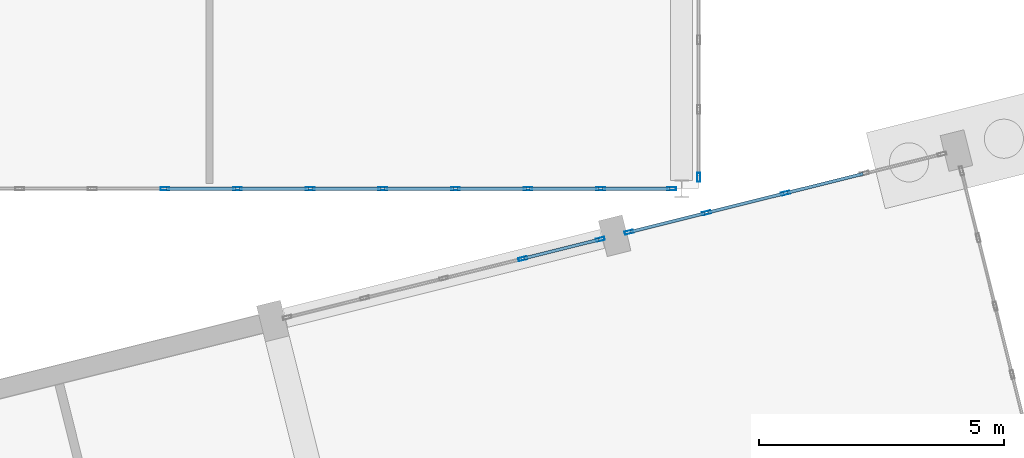
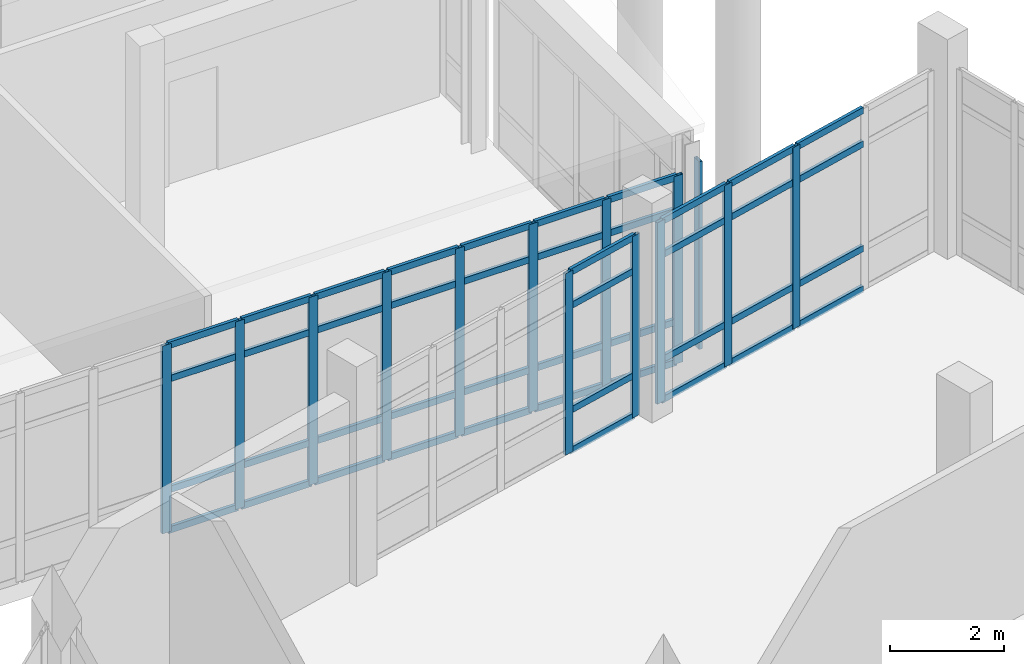
# One storey, part 99 of 173: 58 members, 4 elements without a shape of their own.
"""IFC4 building model written with IfcOpenShell, lengths in metres."""

from ifc_helpers import new_model, si_unit, direction, frame, origin, origin_2d, place, context, subcontext, project, spatial, hollow_rectangle, extrude, material, layer, layer_set, material_profile, profile_set, type_object, element, aggregate, save


model = new_model("IFC4")

# Units and contexts
model_context = context("Model", 3, precision=1e-05, world=origin(), true_north=direction((0.0, 1.0)))
body_context = subcontext(model_context, "Body", "Model", "MODEL_VIEW")
ifc_project = project(units=[si_unit("LENGTHUNIT", "METRE"), si_unit("AREAUNIT", "SQUARE_METRE"), si_unit("VOLUMEUNIT", "CUBIC_METRE"), si_unit("PLANEANGLEUNIT", "RADIAN"), si_unit("MASSUNIT", "GRAM", prefix="KILO")], contexts=[model_context])

# Site, building, storey
site_placement = place(None, origin())
site = spatial("IfcSite", under=ifc_project, at=site_placement, CompositionType="ELEMENT")
building_placement = place(site_placement, origin())
building = spatial("IfcBuilding", under=site, at=building_placement, Name="Mawjan Specialist Oncology Clinic", CompositionType="ELEMENT")
storey_placement = place(building_placement, origin())
storey = spatial("IfcBuildingStorey", under=building, at=storey_placement, Name="L00", CompositionType="ELEMENT", Elevation=0.0)

# Curtain wall, member
ifc_material_1 = material(Name="Unitised spectrally selective aluminium curtain wall", Category="aluminium")
ifc_layer_1 = layer(ifc_material_1, 0.179931640625, Name="Unitised spectrally selective aluminium curtain wall", Category="aluminium")
ifc_layer_set_1 = layer_set([ifc_layer_1], Name="Unitised spectrally selective aluminium curtain wall")
curtain_wall_type_1 = type_object("IfcCurtainWallType", Name="CW-19", PredefinedType="NOTDEFINED", material=ifc_layer_set_1)
curtain_wall_1_placement = place(storey_placement, origin())
curtain_wall_1 = element("IfcCurtainWall", 1, at=curtain_wall_1_placement, inside=storey, type_object=curtain_wall_type_1, Name="L00 Unitised Curtain Wall CW-L00-035", PredefinedType="NOTDEFINED")
ifc_material_2 = material(Name="Thermally broken aluminium 6063-T6", Category="aluminium")
ifc_material_profile_1 = material_profile(ifc_material_2, hollow_rectangle(XDim=0.06494140625, YDim=0.179931640625, WallThickness=0.00390625, at=origin_2d()), Name="ALU MULLION 180x65x4", Category="aluminium")
ifc_profile_set_1 = profile_set([ifc_material_profile_1], Name="Thermally broken aluminium 6063-T6")
member_type_1 = type_object("IfcMemberType", Name="CW-M180", PredefinedType="MULLION", material=ifc_profile_set_1)
member_1_placement = place(storey_placement, frame((139.0, 46.032470703125, 0.0), z_axis=(0.0, 0.0, 1.0), x_axis=(1.0, 0.0, 0.0)))
member_1 = element("IfcMember", 2, at=member_1_placement, type_object=member_type_1, Name="CW-19 mullion 6", PredefinedType="MULLION", context=body_context, shape_type="SweptSolid", body=[
    extrude(hollow_rectangle(XDim=0.06494140625, YDim=0.179931640625, WallThickness=0.00390625, at=origin_2d()), origin(), (0.0, 0.0, 1.0), 4.017822265625),
])
aggregate(curtain_wall_1, [member_1])

# Curtain wall, members
ifc_material_3 = material(Name="Unitised spectrally selective aluminium curtain wall", Category="aluminium")
ifc_layer_2 = layer(ifc_material_3, 0.179931640625, Name="Unitised spectrally selective aluminium curtain wall", Category="aluminium")
ifc_layer_set_2 = layer_set([ifc_layer_2], Name="Unitised spectrally selective aluminium curtain wall")
curtain_wall_type_2 = type_object("IfcCurtainWallType", Name="CW-20", PredefinedType="NOTDEFINED", material=ifc_layer_set_2)
curtain_wall_2_placement = place(storey_placement, origin())
curtain_wall_2 = element("IfcCurtainWall", 3, at=curtain_wall_2_placement, inside=storey, type_object=curtain_wall_type_2, Name="L00 Unitised Curtain Wall CW-L00-036", PredefinedType="NOTDEFINED")
member_2_placement = place(storey_placement, frame((138.447509765625, 45.800048828125, 0.0), z_axis=(0.0, 0.0, 1.0), x_axis=(0.0, -1.0, 0.0)))
member_2 = element("IfcMember", 4, at=member_2_placement, type_object=member_type_1, Name="CW-20 mullion 1", PredefinedType="MULLION", context=body_context, shape_type="SweptSolid", body=[
    extrude(hollow_rectangle(XDim=0.06494140625, YDim=0.179931640625, WallThickness=0.00390625, at=origin_2d()), origin(), (0.0, 0.0, 1.0), 4.01953125),
])
member_3_placement = place(storey_placement, frame((136.99560546875, 45.800048828125, 0.0), z_axis=(0.0, 0.0, 1.0), x_axis=(0.0, -1.0, 0.0)))
member_3 = element("IfcMember", 5, at=member_3_placement, type_object=member_type_1, Name="CW-20 mullion 2", PredefinedType="MULLION", context=body_context, shape_type="SweptSolid", body=[
    extrude(hollow_rectangle(XDim=0.06494140625, YDim=0.179931640625, WallThickness=0.00390625, at=origin_2d()), origin(), (0.0, 0.0, 1.0), 4.01953125),
])
member_4_placement = place(storey_placement, frame((135.51123046875, 45.800048828125, 0.0), z_axis=(0.0, 0.0, 1.0), x_axis=(0.0, -1.0, 0.0)))
member_4 = element("IfcMember", 6, at=member_4_placement, type_object=member_type_1, Name="CW-20 mullion 3", PredefinedType="MULLION", context=body_context, shape_type="SweptSolid", body=[
    extrude(hollow_rectangle(XDim=0.06494140625, YDim=0.179931640625, WallThickness=0.00390625, at=origin_2d()), origin(), (0.0, 0.0, 1.0), 4.01953125),
])
member_5_placement = place(storey_placement, frame((134.027099609375, 45.800048828125, 0.0), z_axis=(0.0, 0.0, 1.0), x_axis=(0.0, -1.0, 0.0)))
member_5 = element("IfcMember", 7, at=member_5_placement, type_object=member_type_1, Name="CW-20 mullion 4", PredefinedType="MULLION", context=body_context, shape_type="SweptSolid", body=[
    extrude(hollow_rectangle(XDim=0.06494140625, YDim=0.179931640625, WallThickness=0.00390625, at=origin_2d()), origin(), (0.0, 0.0, 1.0), 4.01953125),
])
member_6_placement = place(storey_placement, frame((132.542724609375, 45.800048828125, 0.0), z_axis=(0.0, 0.0, 1.0), x_axis=(0.0, -1.0, 0.0)))
member_6 = element("IfcMember", 8, at=member_6_placement, type_object=member_type_1, Name="CW-20 mullion 5", PredefinedType="MULLION", context=body_context, shape_type="SweptSolid", body=[
    extrude(hollow_rectangle(XDim=0.06494140625, YDim=0.179931640625, WallThickness=0.00390625, at=origin_2d()), origin(), (0.0, 0.0, 1.0), 4.01953125),
])
member_7_placement = place(storey_placement, frame((131.058349609375, 45.800048828125, 0.0), z_axis=(0.0, 0.0, 1.0), x_axis=(0.0, -1.0, 0.0)))
member_7 = element("IfcMember", 9, at=member_7_placement, type_object=member_type_1, Name="CW-20 mullion 6", PredefinedType="MULLION", context=body_context, shape_type="SweptSolid", body=[
    extrude(hollow_rectangle(XDim=0.06494140625, YDim=0.179931640625, WallThickness=0.00390625, at=origin_2d()), origin(), (0.0, 0.0, 1.0), 4.01953125),
])
member_8_placement = place(storey_placement, frame((129.573974609375, 45.800048828125, 0.0), z_axis=(0.0, 0.0, 1.0), x_axis=(0.0, -1.0, 0.0)))
member_8 = element("IfcMember", 10, at=member_8_placement, type_object=member_type_1, Name="CW-20 mullion 7", PredefinedType="MULLION", context=body_context, shape_type="SweptSolid", body=[
    extrude(hollow_rectangle(XDim=0.06494140625, YDim=0.179931640625, WallThickness=0.00390625, at=origin_2d()), origin(), (0.0, 0.0, 1.0), 4.01953125),
])
member_9_placement = place(storey_placement, frame((128.089599609375, 45.800048828125, 0.0), z_axis=(0.0, 0.0, 1.0), x_axis=(0.0, -1.0, 0.0)))
member_9 = element("IfcMember", 11, at=member_9_placement, type_object=member_type_1, Name="CW-20 mullion 8", PredefinedType="MULLION", context=body_context, shape_type="SweptSolid", body=[
    extrude(hollow_rectangle(XDim=0.06494140625, YDim=0.179931640625, WallThickness=0.00390625, at=origin_2d()), origin(), (0.0, 0.0, 1.0), 4.01953125),
])

ifc_material_4 = material(Name="Unitised spectrally selective aluminium curtain wall", Category="aluminium")
ifc_layer_3 = layer(ifc_material_4, 0.179931640625, Name="Unitised spectrally selective aluminium curtain wall", Category="aluminium")
ifc_layer_set_3 = layer_set([ifc_layer_3], Name="Unitised spectrally selective aluminium curtain wall")
curtain_wall_type_3 = type_object("IfcCurtainWallType", Name="CW-40", PredefinedType="NOTDEFINED", material=ifc_layer_set_3)
curtain_wall_3_placement = place(storey_placement, origin())
curtain_wall_3 = element("IfcCurtainWall", 12, at=curtain_wall_3_placement, inside=storey, type_object=curtain_wall_type_3, Name="L00 Unitised Curtain Wall CW-L00-082", PredefinedType="NOTDEFINED")
member_10_placement = place(storey_placement, frame((135.404052734375, 44.369140625, 0.0), z_axis=(0.0, 0.0, 1.0), x_axis=(-0.241922045422, 0.970295688921, 0.0)))
member_10 = element("IfcMember", 13, at=member_10_placement, type_object=member_type_1, Name="CW-40 mullion 4", PredefinedType="MULLION", context=body_context, shape_type="SweptSolid", body=[
    extrude(hollow_rectangle(XDim=0.06494140625, YDim=0.179931640625, WallThickness=0.00390625, at=origin_2d()), origin(), (0.0, 0.0, 1.0), 3.885009765625),
])
member_11_placement = place(storey_placement, frame((136.988037109375, 44.76416015625, 0.0), z_axis=(0.0, 0.0, 1.0), x_axis=(-0.241922045422, 0.970295688921, 0.0)))
member_11 = element("IfcMember", 14, at=member_11_placement, type_object=member_type_1, Name="CW-40 mullion 5", PredefinedType="MULLION", context=body_context, shape_type="SweptSolid", body=[
    extrude(hollow_rectangle(XDim=0.06494140625, YDim=0.179931640625, WallThickness=0.00390625, at=origin_2d()), origin(), (0.0, 0.0, 1.0), 3.885009765625),
])

curtain_wall_4_placement = place(storey_placement, origin())
curtain_wall_4 = element("IfcCurtainWall", 15, at=curtain_wall_4_placement, inside=storey, type_object=curtain_wall_type_3, Name="L00 Unitised Curtain Wall CW-L00-083", PredefinedType="NOTDEFINED")
member_12_placement = place(storey_placement, frame((137.574951171875, 44.91064453125, 0.0), z_axis=(0.0, 0.0, 1.0), x_axis=(-0.241921939309, 0.970295715378, 0.0)))
member_12 = element("IfcMember", 16, at=member_12_placement, type_object=member_type_1, Name="CW-40 mullion 1", PredefinedType="MULLION", context=body_context, shape_type="SweptSolid", body=[
    extrude(hollow_rectangle(XDim=0.06494140625, YDim=0.179931640625, WallThickness=0.00390625, at=origin_2d()), origin(), (0.0, 0.0, 1.0), 3.885009765625),
])
member_13_placement = place(storey_placement, frame((139.158935546875, 45.305419921875, 0.0), z_axis=(0.0, 0.0, 1.0), x_axis=(-0.241921939309, 0.970295715378, 0.0)))
member_13 = element("IfcMember", 17, at=member_13_placement, type_object=member_type_1, Name="CW-40 mullion 2", PredefinedType="MULLION", context=body_context, shape_type="SweptSolid", body=[
    extrude(hollow_rectangle(XDim=0.06494140625, YDim=0.179931640625, WallThickness=0.00390625, at=origin_2d()), origin(), (0.0, 0.0, 1.0), 3.885009765625),
])
member_14_placement = place(storey_placement, frame((140.774658203125, 45.708251953125, 0.0), z_axis=(0.0, 0.0, 1.0), x_axis=(-0.241921939309, 0.970295715378, 0.0)))
member_14 = element("IfcMember", 18, at=member_14_placement, type_object=member_type_1, Name="CW-40 mullion 3", PredefinedType="MULLION", context=body_context, shape_type="SweptSolid", body=[
    extrude(hollow_rectangle(XDim=0.06494140625, YDim=0.179931640625, WallThickness=0.00390625, at=origin_2d()), origin(), (0.0, 0.0, 1.0), 3.885009765625),
])

# Member
ifc_material_5 = material(Name="Thermally broken aluminium 6063-T6", Category="aluminium")
ifc_material_profile_2 = material_profile(ifc_material_5, hollow_rectangle(XDim=0.06494140625, YDim=0.139892578125, WallThickness=0.00390625, at=origin_2d()), Name="ALU TRANSOM 140x65x4", Category="aluminium")
ifc_profile_set_2 = profile_set([ifc_material_profile_2], Name="Thermally broken aluminium 6063-T6")
member_type_2 = type_object("IfcMemberType", Name="CW-T140", PredefinedType="USERDEFINED", material=ifc_profile_set_2)
member_15_placement = place(storey_placement, frame((138.4150390625, 45.800048828125, 0.032470703125), z_axis=(-1.0, 0.0, 0.0), x_axis=(0.0, -1.0, 0.0)))
member_15 = element("IfcMember", 19, at=member_15_placement, type_object=member_type_2, Name="CW-20 transom 1.1", ObjectType="TRANSOM", PredefinedType="USERDEFINED", context=body_context, shape_type="SweptSolid", body=[
    extrude(hollow_rectangle(XDim=0.06494140625, YDim=0.139892578125, WallThickness=0.00390625, at=origin_2d()), origin(), (0.0, 0.0, 1.0), 1.386962890625),
])

member_16_placement = place(storey_placement, frame((138.4150390625, 45.800048828125, 0.89990234375), z_axis=(-1.0, 0.0, 0.0), x_axis=(0.0, -1.0, 0.0)))
member_16 = element("IfcMember", 20, at=member_16_placement, type_object=member_type_2, Name="CW-20 transom 1.2", ObjectType="TRANSOM", PredefinedType="USERDEFINED", context=body_context, shape_type="SweptSolid", body=[
    extrude(hollow_rectangle(XDim=0.06494140625, YDim=0.139892578125, WallThickness=0.00390625, at=origin_2d()), origin(), (0.0, 0.0, 1.0), 1.386962890625),
])

member_17_placement = place(storey_placement, frame((138.4150390625, 45.800048828125, 3.26953125), z_axis=(-1.0, 0.0, 0.0), x_axis=(0.0, -1.0, 0.0)))
member_17 = element("IfcMember", 21, at=member_17_placement, type_object=member_type_2, Name="CW-20 transom 1.3", ObjectType="TRANSOM", PredefinedType="USERDEFINED", context=body_context, shape_type="SweptSolid", body=[
    extrude(hollow_rectangle(XDim=0.06494140625, YDim=0.139892578125, WallThickness=0.00390625, at=origin_2d()), origin(), (0.0, 0.0, 1.0), 1.386962890625),
])

member_18_placement = place(storey_placement, frame((138.4150390625, 45.800048828125, 3.987060546875), z_axis=(-1.0, 0.0, 0.0), x_axis=(0.0, -1.0, 0.0)))
member_18 = element("IfcMember", 22, at=member_18_placement, type_object=member_type_2, Name="CW-20 transom 1.4", ObjectType="TRANSOM", PredefinedType="USERDEFINED", context=body_context, shape_type="SweptSolid", body=[
    extrude(hollow_rectangle(XDim=0.06494140625, YDim=0.139892578125, WallThickness=0.00390625, at=origin_2d()), origin(), (0.0, 0.0, 1.0), 1.386962890625),
])

member_19_placement = place(storey_placement, frame((136.963134765625, 45.800048828125, 0.032470703125), z_axis=(-1.0, 0.0, 0.0), x_axis=(0.0, -1.0, 0.0)))
member_19 = element("IfcMember", 23, at=member_19_placement, type_object=member_type_2, Name="CW-20 transom 2.1", ObjectType="TRANSOM", PredefinedType="USERDEFINED", context=body_context, shape_type="SweptSolid", body=[
    extrude(hollow_rectangle(XDim=0.06494140625, YDim=0.139892578125, WallThickness=0.00390625, at=origin_2d()), origin(), (0.0, 0.0, 1.0), 1.419189453125),
])

member_20_placement = place(storey_placement, frame((136.963134765625, 45.800048828125, 0.89990234375), z_axis=(-1.0, 0.0, 0.0), x_axis=(0.0, -1.0, 0.0)))
member_20 = element("IfcMember", 24, at=member_20_placement, type_object=member_type_2, Name="CW-20 transom 2.2", ObjectType="TRANSOM", PredefinedType="USERDEFINED", context=body_context, shape_type="SweptSolid", body=[
    extrude(hollow_rectangle(XDim=0.06494140625, YDim=0.139892578125, WallThickness=0.00390625, at=origin_2d()), origin(), (0.0, 0.0, 1.0), 1.419189453125),
])

member_21_placement = place(storey_placement, frame((136.963134765625, 45.800048828125, 3.26953125), z_axis=(-1.0, 0.0, 0.0), x_axis=(0.0, -1.0, 0.0)))
member_21 = element("IfcMember", 25, at=member_21_placement, type_object=member_type_2, Name="CW-20 transom 2.3", ObjectType="TRANSOM", PredefinedType="USERDEFINED", context=body_context, shape_type="SweptSolid", body=[
    extrude(hollow_rectangle(XDim=0.06494140625, YDim=0.139892578125, WallThickness=0.00390625, at=origin_2d()), origin(), (0.0, 0.0, 1.0), 1.419189453125),
])

member_22_placement = place(storey_placement, frame((136.963134765625, 45.800048828125, 3.987060546875), z_axis=(-1.0, 0.0, 0.0), x_axis=(0.0, -1.0, 0.0)))
member_22 = element("IfcMember", 26, at=member_22_placement, type_object=member_type_2, Name="CW-20 transom 2.4", ObjectType="TRANSOM", PredefinedType="USERDEFINED", context=body_context, shape_type="SweptSolid", body=[
    extrude(hollow_rectangle(XDim=0.06494140625, YDim=0.139892578125, WallThickness=0.00390625, at=origin_2d()), origin(), (0.0, 0.0, 1.0), 1.419189453125),
])

member_23_placement = place(storey_placement, frame((135.478759765625, 45.800048828125, 0.032470703125), z_axis=(-1.0, 0.0, 0.0), x_axis=(0.0, -1.0, 0.0)))
member_23 = element("IfcMember", 27, at=member_23_placement, type_object=member_type_2, Name="CW-20 transom 3.1", ObjectType="TRANSOM", PredefinedType="USERDEFINED", context=body_context, shape_type="SweptSolid", body=[
    extrude(hollow_rectangle(XDim=0.06494140625, YDim=0.139892578125, WallThickness=0.00390625, at=origin_2d()), origin(), (0.0, 0.0, 1.0), 1.419189453125),
])

member_24_placement = place(storey_placement, frame((135.478759765625, 45.800048828125, 0.89990234375), z_axis=(-1.0, 0.0, 0.0), x_axis=(0.0, -1.0, 0.0)))
member_24 = element("IfcMember", 28, at=member_24_placement, type_object=member_type_2, Name="CW-20 transom 3.2", ObjectType="TRANSOM", PredefinedType="USERDEFINED", context=body_context, shape_type="SweptSolid", body=[
    extrude(hollow_rectangle(XDim=0.06494140625, YDim=0.139892578125, WallThickness=0.00390625, at=origin_2d()), origin(), (0.0, 0.0, 1.0), 1.419189453125),
])

member_25_placement = place(storey_placement, frame((135.478759765625, 45.800048828125, 3.26953125), z_axis=(-1.0, 0.0, 0.0), x_axis=(0.0, -1.0, 0.0)))
member_25 = element("IfcMember", 29, at=member_25_placement, type_object=member_type_2, Name="CW-20 transom 3.3", ObjectType="TRANSOM", PredefinedType="USERDEFINED", context=body_context, shape_type="SweptSolid", body=[
    extrude(hollow_rectangle(XDim=0.06494140625, YDim=0.139892578125, WallThickness=0.00390625, at=origin_2d()), origin(), (0.0, 0.0, 1.0), 1.419189453125),
])

member_26_placement = place(storey_placement, frame((135.478759765625, 45.800048828125, 3.987060546875), z_axis=(-1.0, 0.0, 0.0), x_axis=(0.0, -1.0, 0.0)))
member_26 = element("IfcMember", 30, at=member_26_placement, type_object=member_type_2, Name="CW-20 transom 3.4", ObjectType="TRANSOM", PredefinedType="USERDEFINED", context=body_context, shape_type="SweptSolid", body=[
    extrude(hollow_rectangle(XDim=0.06494140625, YDim=0.139892578125, WallThickness=0.00390625, at=origin_2d()), origin(), (0.0, 0.0, 1.0), 1.419189453125),
])

member_27_placement = place(storey_placement, frame((133.994384765625, 45.800048828125, 0.032470703125), z_axis=(-1.0, 0.0, 0.0), x_axis=(0.0, -1.0, 0.0)))
member_27 = element("IfcMember", 31, at=member_27_placement, type_object=member_type_2, Name="CW-20 transom 4.1", ObjectType="TRANSOM", PredefinedType="USERDEFINED", context=body_context, shape_type="SweptSolid", body=[
    extrude(hollow_rectangle(XDim=0.06494140625, YDim=0.139892578125, WallThickness=0.00390625, at=origin_2d()), origin(), (0.0, 0.0, 1.0), 1.419189453125),
])

member_28_placement = place(storey_placement, frame((133.994384765625, 45.800048828125, 0.89990234375), z_axis=(-1.0, 0.0, 0.0), x_axis=(0.0, -1.0, 0.0)))
member_28 = element("IfcMember", 32, at=member_28_placement, type_object=member_type_2, Name="CW-20 transom 4.2", ObjectType="TRANSOM", PredefinedType="USERDEFINED", context=body_context, shape_type="SweptSolid", body=[
    extrude(hollow_rectangle(XDim=0.06494140625, YDim=0.139892578125, WallThickness=0.00390625, at=origin_2d()), origin(), (0.0, 0.0, 1.0), 1.419189453125),
])

member_29_placement = place(storey_placement, frame((133.994384765625, 45.800048828125, 3.26953125), z_axis=(-1.0, 0.0, 0.0), x_axis=(0.0, -1.0, 0.0)))
member_29 = element("IfcMember", 33, at=member_29_placement, type_object=member_type_2, Name="CW-20 transom 4.3", ObjectType="TRANSOM", PredefinedType="USERDEFINED", context=body_context, shape_type="SweptSolid", body=[
    extrude(hollow_rectangle(XDim=0.06494140625, YDim=0.139892578125, WallThickness=0.00390625, at=origin_2d()), origin(), (0.0, 0.0, 1.0), 1.419189453125),
])

member_30_placement = place(storey_placement, frame((133.994384765625, 45.800048828125, 3.987060546875), z_axis=(-1.0, 0.0, 0.0), x_axis=(0.0, -1.0, 0.0)))
member_30 = element("IfcMember", 34, at=member_30_placement, type_object=member_type_2, Name="CW-20 transom 4.4", ObjectType="TRANSOM", PredefinedType="USERDEFINED", context=body_context, shape_type="SweptSolid", body=[
    extrude(hollow_rectangle(XDim=0.06494140625, YDim=0.139892578125, WallThickness=0.00390625, at=origin_2d()), origin(), (0.0, 0.0, 1.0), 1.419189453125),
])

member_31_placement = place(storey_placement, frame((132.51025390625, 45.800048828125, 0.032470703125), z_axis=(-1.0, 0.0, 0.0), x_axis=(0.0, -1.0, 0.0)))
member_31 = element("IfcMember", 35, at=member_31_placement, type_object=member_type_2, Name="CW-20 transom 5.1", ObjectType="TRANSOM", PredefinedType="USERDEFINED", context=body_context, shape_type="SweptSolid", body=[
    extrude(hollow_rectangle(XDim=0.06494140625, YDim=0.139892578125, WallThickness=0.00390625, at=origin_2d()), origin(), (0.0, 0.0, 1.0), 1.41943359375),
])

member_32_placement = place(storey_placement, frame((132.51025390625, 45.800048828125, 0.89990234375), z_axis=(-1.0, 0.0, 0.0), x_axis=(0.0, -1.0, 0.0)))
member_32 = element("IfcMember", 36, at=member_32_placement, type_object=member_type_2, Name="CW-20 transom 5.2", ObjectType="TRANSOM", PredefinedType="USERDEFINED", context=body_context, shape_type="SweptSolid", body=[
    extrude(hollow_rectangle(XDim=0.06494140625, YDim=0.139892578125, WallThickness=0.00390625, at=origin_2d()), origin(), (0.0, 0.0, 1.0), 1.41943359375),
])

member_33_placement = place(storey_placement, frame((132.51025390625, 45.800048828125, 3.26953125), z_axis=(-1.0, 0.0, 0.0), x_axis=(0.0, -1.0, 0.0)))
member_33 = element("IfcMember", 37, at=member_33_placement, type_object=member_type_2, Name="CW-20 transom 5.3", ObjectType="TRANSOM", PredefinedType="USERDEFINED", context=body_context, shape_type="SweptSolid", body=[
    extrude(hollow_rectangle(XDim=0.06494140625, YDim=0.139892578125, WallThickness=0.00390625, at=origin_2d()), origin(), (0.0, 0.0, 1.0), 1.41943359375),
])

member_34_placement = place(storey_placement, frame((132.51025390625, 45.800048828125, 3.987060546875), z_axis=(-1.0, 0.0, 0.0), x_axis=(0.0, -1.0, 0.0)))
member_34 = element("IfcMember", 38, at=member_34_placement, type_object=member_type_2, Name="CW-20 transom 5.4", ObjectType="TRANSOM", PredefinedType="USERDEFINED", context=body_context, shape_type="SweptSolid", body=[
    extrude(hollow_rectangle(XDim=0.06494140625, YDim=0.139892578125, WallThickness=0.00390625, at=origin_2d()), origin(), (0.0, 0.0, 1.0), 1.41943359375),
])

member_35_placement = place(storey_placement, frame((131.02587890625, 45.800048828125, 0.032470703125), z_axis=(-1.0, 0.0, 0.0), x_axis=(0.0, -1.0, 0.0)))
member_35 = element("IfcMember", 39, at=member_35_placement, type_object=member_type_2, Name="CW-20 transom 6.1", ObjectType="TRANSOM", PredefinedType="USERDEFINED", context=body_context, shape_type="SweptSolid", body=[
    extrude(hollow_rectangle(XDim=0.06494140625, YDim=0.139892578125, WallThickness=0.00390625, at=origin_2d()), origin(), (0.0, 0.0, 1.0), 1.41943359375),
])

member_36_placement = place(storey_placement, frame((131.02587890625, 45.800048828125, 0.89990234375), z_axis=(-1.0, 0.0, 0.0), x_axis=(0.0, -1.0, 0.0)))
member_36 = element("IfcMember", 40, at=member_36_placement, type_object=member_type_2, Name="CW-20 transom 6.2", ObjectType="TRANSOM", PredefinedType="USERDEFINED", context=body_context, shape_type="SweptSolid", body=[
    extrude(hollow_rectangle(XDim=0.06494140625, YDim=0.139892578125, WallThickness=0.00390625, at=origin_2d()), origin(), (0.0, 0.0, 1.0), 1.41943359375),
])

member_37_placement = place(storey_placement, frame((131.02587890625, 45.800048828125, 3.26953125), z_axis=(-1.0, 0.0, 0.0), x_axis=(0.0, -1.0, 0.0)))
member_37 = element("IfcMember", 41, at=member_37_placement, type_object=member_type_2, Name="CW-20 transom 6.3", ObjectType="TRANSOM", PredefinedType="USERDEFINED", context=body_context, shape_type="SweptSolid", body=[
    extrude(hollow_rectangle(XDim=0.06494140625, YDim=0.139892578125, WallThickness=0.00390625, at=origin_2d()), origin(), (0.0, 0.0, 1.0), 1.41943359375),
])

member_38_placement = place(storey_placement, frame((131.02587890625, 45.800048828125, 3.987060546875), z_axis=(-1.0, 0.0, 0.0), x_axis=(0.0, -1.0, 0.0)))
member_38 = element("IfcMember", 42, at=member_38_placement, type_object=member_type_2, Name="CW-20 transom 6.4", ObjectType="TRANSOM", PredefinedType="USERDEFINED", context=body_context, shape_type="SweptSolid", body=[
    extrude(hollow_rectangle(XDim=0.06494140625, YDim=0.139892578125, WallThickness=0.00390625, at=origin_2d()), origin(), (0.0, 0.0, 1.0), 1.41943359375),
])

member_39_placement = place(storey_placement, frame((129.54150390625, 45.800048828125, 0.032470703125), z_axis=(-1.0, 0.0, 0.0), x_axis=(0.0, -1.0, 0.0)))
member_39 = element("IfcMember", 43, at=member_39_placement, type_object=member_type_2, Name="CW-20 transom 7.1", ObjectType="TRANSOM", PredefinedType="USERDEFINED", context=body_context, shape_type="SweptSolid", body=[
    extrude(hollow_rectangle(XDim=0.06494140625, YDim=0.139892578125, WallThickness=0.00390625, at=origin_2d()), origin(), (0.0, 0.0, 1.0), 1.41943359375),
])

member_40_placement = place(storey_placement, frame((129.54150390625, 45.800048828125, 0.89990234375), z_axis=(-1.0, 0.0, 0.0), x_axis=(0.0, -1.0, 0.0)))
member_40 = element("IfcMember", 44, at=member_40_placement, type_object=member_type_2, Name="CW-20 transom 7.2", ObjectType="TRANSOM", PredefinedType="USERDEFINED", context=body_context, shape_type="SweptSolid", body=[
    extrude(hollow_rectangle(XDim=0.06494140625, YDim=0.139892578125, WallThickness=0.00390625, at=origin_2d()), origin(), (0.0, 0.0, 1.0), 1.41943359375),
])

member_41_placement = place(storey_placement, frame((129.54150390625, 45.800048828125, 3.26953125), z_axis=(-1.0, 0.0, 0.0), x_axis=(0.0, -1.0, 0.0)))
member_41 = element("IfcMember", 45, at=member_41_placement, type_object=member_type_2, Name="CW-20 transom 7.3", ObjectType="TRANSOM", PredefinedType="USERDEFINED", context=body_context, shape_type="SweptSolid", body=[
    extrude(hollow_rectangle(XDim=0.06494140625, YDim=0.139892578125, WallThickness=0.00390625, at=origin_2d()), origin(), (0.0, 0.0, 1.0), 1.41943359375),
])

member_42_placement = place(storey_placement, frame((129.54150390625, 45.800048828125, 3.987060546875), z_axis=(-1.0, 0.0, 0.0), x_axis=(0.0, -1.0, 0.0)))
member_42 = element("IfcMember", 46, at=member_42_placement, type_object=member_type_2, Name="CW-20 transom 7.4", ObjectType="TRANSOM", PredefinedType="USERDEFINED", context=body_context, shape_type="SweptSolid", body=[
    extrude(hollow_rectangle(XDim=0.06494140625, YDim=0.139892578125, WallThickness=0.00390625, at=origin_2d()), origin(), (0.0, 0.0, 1.0), 1.41943359375),
])

aggregate(curtain_wall_2, [member_2, member_3, member_4, member_5, member_6, member_7, member_8, member_9, member_15, member_16, member_17, member_18, member_19, member_20, member_21, member_22, member_23, member_24, member_25, member_26, member_27, member_28, member_29, member_30, member_31, member_32, member_33, member_34, member_35, member_36, member_37, member_38, member_39, member_40, member_41, member_42])

member_43_placement = place(storey_placement, frame((135.435546875, 44.377197265625, 0.032470703125), z_axis=(0.970307185051, 0.241875932325, 0.0), x_axis=(-0.241875932325, 0.970307185051, 0.0)))
member_43 = element("IfcMember", 47, at=member_43_placement, type_object=member_type_2, Name="CW-40 transom 4.1", ObjectType="TRANSOM", PredefinedType="USERDEFINED", context=body_context, shape_type="SweptSolid", body=[
    extrude(hollow_rectangle(XDim=0.06494140625, YDim=0.139892578125, WallThickness=0.00390625, at=origin_2d()), origin(), (0.0, 0.0, 1.0), 1.567626953125),
])

member_44_placement = place(storey_placement, frame((135.435546875, 44.377197265625, 0.89990234375), z_axis=(0.970307185051, 0.241875932325, 0.0), x_axis=(-0.241875932325, 0.970307185051, 0.0)))
member_44 = element("IfcMember", 48, at=member_44_placement, type_object=member_type_2, Name="CW-40 transom 4.2", ObjectType="TRANSOM", PredefinedType="USERDEFINED", context=body_context, shape_type="SweptSolid", body=[
    extrude(hollow_rectangle(XDim=0.06494140625, YDim=0.139892578125, WallThickness=0.00390625, at=origin_2d()), origin(), (0.0, 0.0, 1.0), 1.567626953125),
])

member_45_placement = place(storey_placement, frame((135.435546875, 44.377197265625, 3.135009765625), z_axis=(0.970307185051, 0.241875932325, 0.0), x_axis=(-0.241875932325, 0.970307185051, 0.0)))
member_45 = element("IfcMember", 49, at=member_45_placement, type_object=member_type_2, Name="CW-40 transom 4.3", ObjectType="TRANSOM", PredefinedType="USERDEFINED", context=body_context, shape_type="SweptSolid", body=[
    extrude(hollow_rectangle(XDim=0.06494140625, YDim=0.139892578125, WallThickness=0.00390625, at=origin_2d()), origin(), (0.0, 0.0, 1.0), 1.567626953125),
])

member_46_placement = place(storey_placement, frame((135.435546875, 44.377197265625, 3.8525390625), z_axis=(0.970307185051, 0.241875932325, 0.0), x_axis=(-0.241875932325, 0.970307185051, 0.0)))
member_46 = element("IfcMember", 50, at=member_46_placement, type_object=member_type_2, Name="CW-40 transom 4.4", ObjectType="TRANSOM", PredefinedType="USERDEFINED", context=body_context, shape_type="SweptSolid", body=[
    extrude(hollow_rectangle(XDim=0.06494140625, YDim=0.139892578125, WallThickness=0.00390625, at=origin_2d()), origin(), (0.0, 0.0, 1.0), 1.567626953125),
])

aggregate(curtain_wall_3, [member_10, member_11, member_43, member_44, member_45, member_46])

member_47_placement = place(storey_placement, frame((137.6064453125, 44.91845703125, 0.032470703125), z_axis=(0.970307185051, 0.241875932325, 0.0), x_axis=(-0.241875932325, 0.970307185051, 0.0)))
member_47 = element("IfcMember", 51, at=member_47_placement, type_object=member_type_2, Name="CW-40 transom 1.1", ObjectType="TRANSOM", PredefinedType="USERDEFINED", context=body_context, shape_type="SweptSolid", body=[
    extrude(hollow_rectangle(XDim=0.06494140625, YDim=0.139892578125, WallThickness=0.00390625, at=origin_2d()), origin(), (0.0, 0.0, 1.0), 1.567626953125),
])

member_48_placement = place(storey_placement, frame((137.6064453125, 44.91845703125, 0.89990234375), z_axis=(0.970307185051, 0.241875932325, 0.0), x_axis=(-0.241875932325, 0.970307185051, 0.0)))
member_48 = element("IfcMember", 52, at=member_48_placement, type_object=member_type_2, Name="CW-40 transom 1.2", ObjectType="TRANSOM", PredefinedType="USERDEFINED", context=body_context, shape_type="SweptSolid", body=[
    extrude(hollow_rectangle(XDim=0.06494140625, YDim=0.139892578125, WallThickness=0.00390625, at=origin_2d()), origin(), (0.0, 0.0, 1.0), 1.567626953125),
])

member_49_placement = place(storey_placement, frame((137.6064453125, 44.91845703125, 3.135009765625), z_axis=(0.970307185051, 0.241875932325, 0.0), x_axis=(-0.241875932325, 0.970307185051, 0.0)))
member_49 = element("IfcMember", 53, at=member_49_placement, type_object=member_type_2, Name="CW-40 transom 1.3", ObjectType="TRANSOM", PredefinedType="USERDEFINED", context=body_context, shape_type="SweptSolid", body=[
    extrude(hollow_rectangle(XDim=0.06494140625, YDim=0.139892578125, WallThickness=0.00390625, at=origin_2d()), origin(), (0.0, 0.0, 1.0), 1.567626953125),
])

member_50_placement = place(storey_placement, frame((137.6064453125, 44.91845703125, 3.8525390625), z_axis=(0.970307185051, 0.241875932325, 0.0), x_axis=(-0.241875932325, 0.970307185051, 0.0)))
member_50 = element("IfcMember", 54, at=member_50_placement, type_object=member_type_2, Name="CW-40 transom 1.4", ObjectType="TRANSOM", PredefinedType="USERDEFINED", context=body_context, shape_type="SweptSolid", body=[
    extrude(hollow_rectangle(XDim=0.06494140625, YDim=0.139892578125, WallThickness=0.00390625, at=origin_2d()), origin(), (0.0, 0.0, 1.0), 1.567626953125),
])

member_51_placement = place(storey_placement, frame((139.190673828125, 45.313232421875, 0.032470703125), z_axis=(0.970268045315, 0.242032890826, 0.0), x_axis=(-0.242032890826, 0.970268045315, 0.0)))
member_51 = element("IfcMember", 55, at=member_51_placement, type_object=member_type_2, Name="CW-40 transom 2.1", ObjectType="TRANSOM", PredefinedType="USERDEFINED", context=body_context, shape_type="SweptSolid", body=[
    extrude(hollow_rectangle(XDim=0.06494140625, YDim=0.139892578125, WallThickness=0.00390625, at=origin_2d()), origin(), (0.0, 0.0, 1.0), 1.599853515625),
])

member_52_placement = place(storey_placement, frame((139.190673828125, 45.313232421875, 0.89990234375), z_axis=(0.970268045315, 0.242032890826, 0.0), x_axis=(-0.242032890826, 0.970268045315, 0.0)))
member_52 = element("IfcMember", 56, at=member_52_placement, type_object=member_type_2, Name="CW-40 transom 2.2", ObjectType="TRANSOM", PredefinedType="USERDEFINED", context=body_context, shape_type="SweptSolid", body=[
    extrude(hollow_rectangle(XDim=0.06494140625, YDim=0.139892578125, WallThickness=0.00390625, at=origin_2d()), origin(), (0.0, 0.0, 1.0), 1.599853515625),
])

member_53_placement = place(storey_placement, frame((139.190673828125, 45.313232421875, 3.135009765625), z_axis=(0.970268045315, 0.242032890826, 0.0), x_axis=(-0.242032890826, 0.970268045315, 0.0)))
member_53 = element("IfcMember", 57, at=member_53_placement, type_object=member_type_2, Name="CW-40 transom 2.3", ObjectType="TRANSOM", PredefinedType="USERDEFINED", context=body_context, shape_type="SweptSolid", body=[
    extrude(hollow_rectangle(XDim=0.06494140625, YDim=0.139892578125, WallThickness=0.00390625, at=origin_2d()), origin(), (0.0, 0.0, 1.0), 1.599853515625),
])

member_54_placement = place(storey_placement, frame((139.190673828125, 45.313232421875, 3.8525390625), z_axis=(0.970268045315, 0.242032890826, 0.0), x_axis=(-0.242032890826, 0.970268045315, 0.0)))
member_54 = element("IfcMember", 58, at=member_54_placement, type_object=member_type_2, Name="CW-40 transom 2.4", ObjectType="TRANSOM", PredefinedType="USERDEFINED", context=body_context, shape_type="SweptSolid", body=[
    extrude(hollow_rectangle(XDim=0.06494140625, YDim=0.139892578125, WallThickness=0.00390625, at=origin_2d()), origin(), (0.0, 0.0, 1.0), 1.599853515625),
])

member_55_placement = place(storey_placement, frame((140.80615234375, 45.716064453125, 0.032470703125), z_axis=(0.970276982968, 0.241997058498, 0.0), x_axis=(-0.241997058498, 0.970276982968, 0.0)))
member_55 = element("IfcMember", 59, at=member_55_placement, type_object=member_type_2, Name="CW-40 transom 3.1", ObjectType="TRANSOM", PredefinedType="USERDEFINED", context=body_context, shape_type="SweptSolid", body=[
    extrude(hollow_rectangle(XDim=0.06494140625, YDim=0.139892578125, WallThickness=0.00390625, at=origin_2d()), origin(), (0.0, 0.0, 1.0), 1.60009765625),
])

member_56_placement = place(storey_placement, frame((140.80615234375, 45.716064453125, 0.89990234375), z_axis=(0.970276982968, 0.241997058498, 0.0), x_axis=(-0.241997058498, 0.970276982968, 0.0)))
member_56 = element("IfcMember", 60, at=member_56_placement, type_object=member_type_2, Name="CW-40 transom 3.2", ObjectType="TRANSOM", PredefinedType="USERDEFINED", context=body_context, shape_type="SweptSolid", body=[
    extrude(hollow_rectangle(XDim=0.06494140625, YDim=0.139892578125, WallThickness=0.00390625, at=origin_2d()), origin(), (0.0, 0.0, 1.0), 1.60009765625),
])

member_57_placement = place(storey_placement, frame((140.80615234375, 45.716064453125, 3.135009765625), z_axis=(0.970276982968, 0.241997058498, 0.0), x_axis=(-0.241997058498, 0.970276982968, 0.0)))
member_57 = element("IfcMember", 61, at=member_57_placement, type_object=member_type_2, Name="CW-40 transom 3.3", ObjectType="TRANSOM", PredefinedType="USERDEFINED", context=body_context, shape_type="SweptSolid", body=[
    extrude(hollow_rectangle(XDim=0.06494140625, YDim=0.139892578125, WallThickness=0.00390625, at=origin_2d()), origin(), (0.0, 0.0, 1.0), 1.60009765625),
])

member_58_placement = place(storey_placement, frame((140.80615234375, 45.716064453125, 3.8525390625), z_axis=(0.970276982968, 0.241997058498, 0.0), x_axis=(-0.241997058498, 0.970276982968, 0.0)))
member_58 = element("IfcMember", 62, at=member_58_placement, type_object=member_type_2, Name="CW-40 transom 3.4", ObjectType="TRANSOM", PredefinedType="USERDEFINED", context=body_context, shape_type="SweptSolid", body=[
    extrude(hollow_rectangle(XDim=0.06494140625, YDim=0.139892578125, WallThickness=0.00390625, at=origin_2d()), origin(), (0.0, 0.0, 1.0), 1.60009765625),
])

aggregate(curtain_wall_4, [member_12, member_13, member_14, member_47, member_48, member_49, member_50, member_51, member_52, member_53, member_54, member_55, member_56, member_57, member_58])

save(model, "model.ifc")
